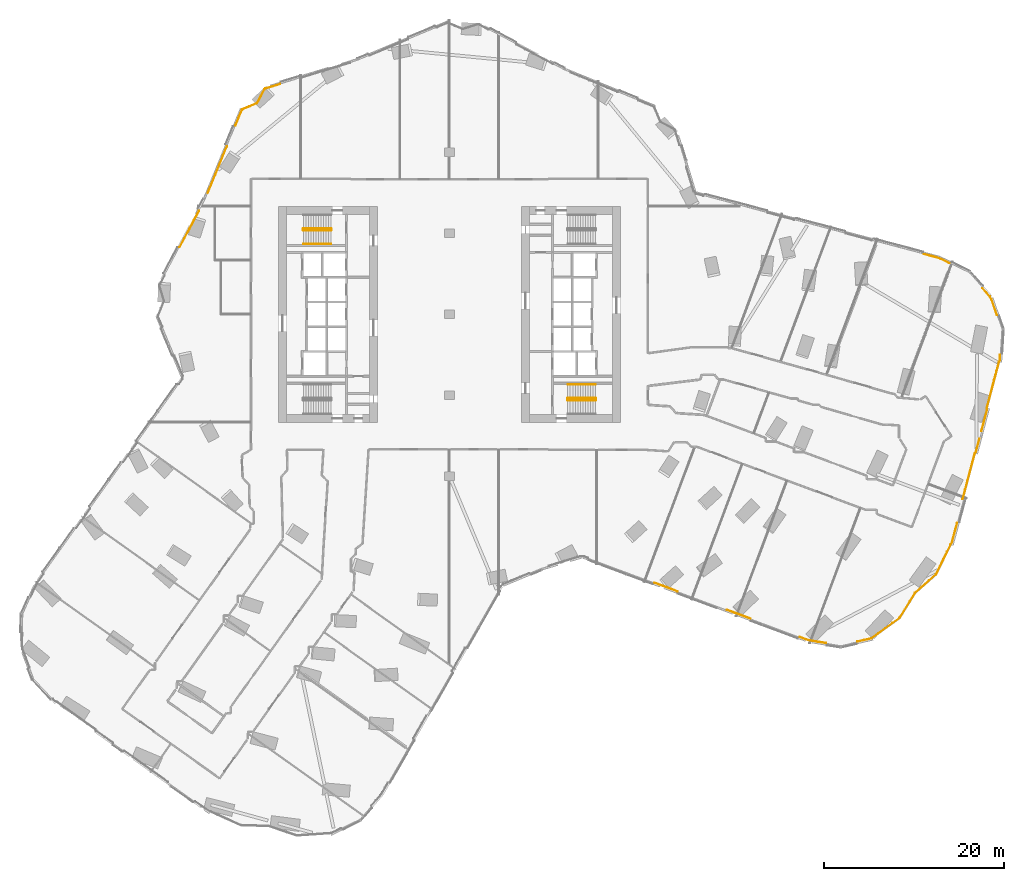
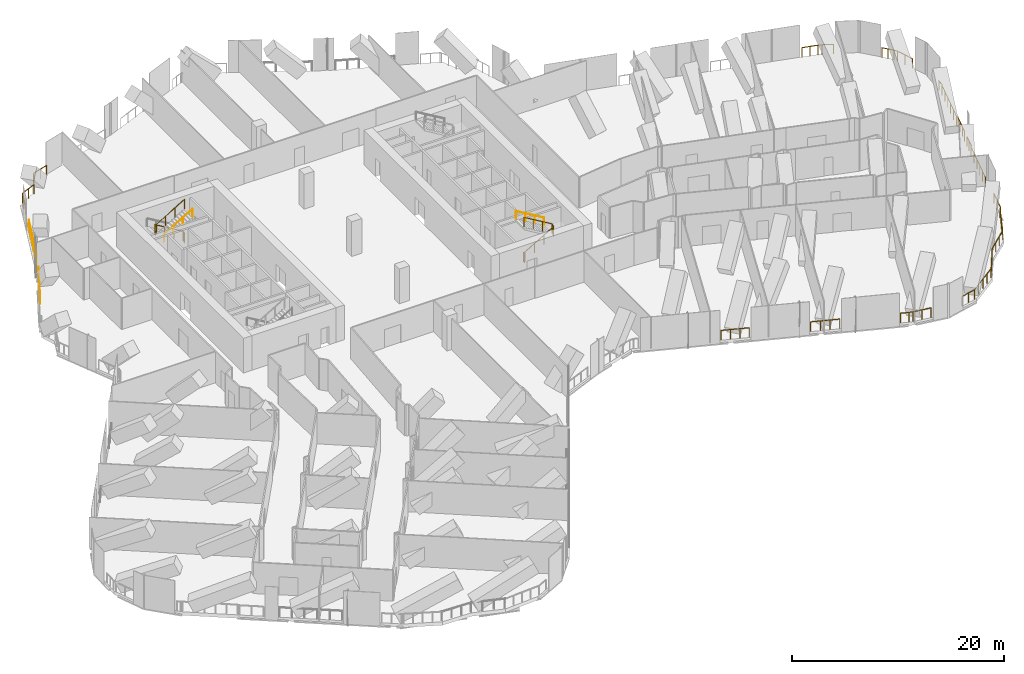
# One storey, part 33 of 34: 17 railings.
"""IFC4 building model written with IfcOpenShell, lengths in metres."""

from ifc_helpers import new_model, si_unit, direction, frame, origin, origin_2d, place, context, subcontext, project, spatial, circle, extrude, material, type_object, element, save


model = new_model("IFC4")

# Units and contexts
model_context = context("Model", 3, precision=1e-05, world=origin(), true_north=direction((0.0, 1.0)))
body_context = subcontext(model_context, "Body", "Model", "MODEL_VIEW")
ifc_project = project(units=[si_unit("LENGTHUNIT", "METRE"), si_unit("AREAUNIT", "SQUARE_METRE"), si_unit("VOLUMEUNIT", "CUBIC_METRE"), si_unit("PLANEANGLEUNIT", "RADIAN"), si_unit("MASSUNIT", "GRAM", prefix="KILO")], contexts=[model_context])

# Site, building, storey
site_placement = place(None, origin())
site = spatial("IfcSite", under=ifc_project, at=site_placement, CompositionType="ELEMENT")
building_placement = place(site_placement, origin())
building = spatial("IfcBuilding", under=site, at=building_placement, Name="Orlundy Tower", CompositionType="ELEMENT")
storey_placement = place(building_placement, frame((0.0, 0.0, 98.199951171875)))
storey = spatial("IfcBuildingStorey", under=building, at=storey_placement, Name="L24", CompositionType="ELEMENT", Elevation=98.199951171875)

# Railings
ifc_material_1 = material(Name="Steel balustrade", Category="steel")
railing_type_1 = type_object("IfcRailingType", Name="Stair Guard 1100", PredefinedType="GUARDRAIL", material=ifc_material_1)
railing_1_placement = place(storey_placement, frame((-13.090087890625, 9.5, 0.0)))
element("IfcRailing", 1, at=railing_1_placement, inside=storey, type_object=railing_type_1, Name="L24 ST-W1 stair guard 1", PredefinedType="GUARDRAIL", context=body_context, shape_type="SweptSolid", body=[
    extrude(circle(Radius=0.02392578125, at=origin_2d()), frame((0.0, 0.0, 1.076171875), z_axis=(0.0, -1.0, 0.0), x_axis=(1.0, 0.0, 0.0)), (0.0, 0.0, 1.0), 0.14990234375),
    extrude(circle(Radius=0.02392578125, at=origin_2d()), frame((0.0, -0.14990234375, 1.076171875), z_axis=(-0.1878875253, 0.754313153044, 0.629054802844), x_axis=(-0.970351222016, -0.241699205484, 0.0)), (0.0, 0.0, 1.0), 0.26513671875),
    extrude(circle(Radius=0.02392578125, at=origin_2d()), frame((-0.0498046875, 0.050048828125, 1.24267578125), z_axis=(-0.859308565015, 0.0, 0.511457515432), x_axis=(0.0, -1.0, 0.0)), (0.0, 0.0, 1.0), 3.58447265625),
    extrude(circle(Radius=0.02392578125, at=origin_2d()), frame((-3.1298828125, 0.050048828125, 3.076171875), z_axis=(-0.707106781187, -0.707106781187, 0.0), x_axis=(0.707106781187, -0.707106781187, 0.0)), (0.0, 0.0, 1.0), 0.07080078125),
    extrude(circle(Radius=0.02392578125, at=origin_2d()), frame((-3.179931640625, 0.0, 3.076171875), z_axis=(0.0, -1.0, 0.0), x_axis=(1.0, 0.0, 0.0)), (0.0, 0.0, 1.0), 0.14990234375),
    extrude(circle(Radius=0.02392578125, at=origin_2d()), frame((-3.179931640625, -0.14990234375, 3.076171875), z_axis=(0.27628659633, -0.27628659633, 0.920506074601), x_axis=(0.707106781187, 0.707106781187, 0.0)), (0.0, 0.0, 1.0), 0.18115234375),
    extrude(circle(Radius=0.02392578125, at=origin_2d()), frame((-3.1298828125, -0.199951171875, 3.24267578125), z_axis=(0.859308565015, 0.0, 0.511457515432), x_axis=(0.0, 1.0, 0.0)), (0.0, 0.0, 1.0), 3.58447265625),
    extrude(circle(Radius=0.02099609375, at=origin_2d()), origin(), (0.0, 0.0, 1.0), 1.052001953125),
    extrude(circle(Radius=0.02099609375, at=origin_2d()), frame((0.0, -0.14990234375, 0.0)), (0.0, 0.0, 1.0), 1.052001953125),
    extrude(circle(Radius=0.02099609375, at=origin_2d()), frame((-0.0498046875, 0.050048828125, 0.166748046875)), (0.0, 0.0, 1.0), 1.052001953125),
    extrude(circle(Radius=0.02099609375, at=origin_2d()), frame((-1.076416015625, 0.050048828125, 0.77783203125)), (0.0, 0.0, 1.0), 1.052001953125),
    extrude(circle(Radius=0.02099609375, at=origin_2d()), frame((-2.103271484375, 0.050048828125, 1.388916015625)), (0.0, 0.0, 1.0), 1.052001953125),
    extrude(circle(Radius=0.02099609375, at=origin_2d()), frame((-3.1298828125, 0.050048828125, 2.0)), (0.0, 0.0, 1.0), 1.052001953125),
    extrude(circle(Radius=0.02099609375, at=origin_2d()), frame((-3.179931640625, 0.0, 2.0)), (0.0, 0.0, 1.0), 1.052001953125),
    extrude(circle(Radius=0.02099609375, at=origin_2d()), frame((-3.179931640625, -0.14990234375, 2.0)), (0.0, 0.0, 1.0), 1.052001953125),
    extrude(circle(Radius=0.02099609375, at=origin_2d()), frame((-3.1298828125, -0.199951171875, 2.166748046875)), (0.0, 0.0, 1.0), 1.052001953125),
    extrude(circle(Radius=0.02099609375, at=origin_2d()), frame((-2.103271484375, -0.199951171875, 2.77783203125)), (0.0, 0.0, 1.0), 1.052001953125),
    extrude(circle(Radius=0.02099609375, at=origin_2d()), frame((-1.076416015625, -0.199951171875, 3.388916015625)), (0.0, 0.0, 1.0), 1.052001953125),
    extrude(circle(Radius=0.02099609375, at=origin_2d()), frame((-0.0498046875, -0.199951171875, 4.0)), (0.0, 0.0, 1.0), 1.052001953125),
])
railing_2_placement = place(storey_placement, frame((13.090087890625, -9.5, 0.0)))
element("IfcRailing", 2, at=railing_2_placement, inside=storey, type_object=railing_type_1, Name="L24 ST-E1 stair guard 1", PredefinedType="GUARDRAIL", context=body_context, shape_type="SweptSolid", body=[
    extrude(circle(Radius=0.02392578125, at=origin_2d()), frame((0.0, 0.0, 1.076171875), z_axis=(0.0, 1.0, 0.0), x_axis=(-1.0, 0.0, 0.0)), (0.0, 0.0, 1.0), 0.14990234375),
    extrude(circle(Radius=0.02392578125, at=origin_2d()), frame((0.0, 0.14990234375, 1.076171875), z_axis=(0.1878875253, -0.754313153044, 0.629054802844), x_axis=(0.970351222016, 0.241699205484, 0.0)), (0.0, 0.0, 1.0), 0.26513671875),
    extrude(circle(Radius=0.02392578125, at=origin_2d()), frame((0.0498046875, -0.050048828125, 1.24267578125), z_axis=(0.859308565015, 0.0, 0.511457515432), x_axis=(0.0, 1.0, 0.0)), (0.0, 0.0, 1.0), 3.58447265625),
    extrude(circle(Radius=0.02392578125, at=origin_2d()), frame((3.1298828125, -0.050048828125, 3.076171875), z_axis=(0.707106781187, 0.707106781187, 0.0), x_axis=(-0.707106781187, 0.707106781187, 0.0)), (0.0, 0.0, 1.0), 0.07080078125),
    extrude(circle(Radius=0.02392578125, at=origin_2d()), frame((3.179931640625, 0.0, 3.076171875), z_axis=(0.0, 1.0, 0.0), x_axis=(-1.0, 0.0, 0.0)), (0.0, 0.0, 1.0), 0.14990234375),
    extrude(circle(Radius=0.02392578125, at=origin_2d()), frame((3.179931640625, 0.14990234375, 3.076171875), z_axis=(-0.27628659633, 0.27628659633, 0.920506074601), x_axis=(-0.707106781187, -0.707106781187, 0.0)), (0.0, 0.0, 1.0), 0.18115234375),
    extrude(circle(Radius=0.02392578125, at=origin_2d()), frame((3.1298828125, 0.199951171875, 3.24267578125), z_axis=(-0.859308565015, 0.0, 0.511457515432), x_axis=(0.0, -1.0, 0.0)), (0.0, 0.0, 1.0), 3.58447265625),
    extrude(circle(Radius=0.02099609375, at=origin_2d()), origin(), (0.0, 0.0, 1.0), 1.052001953125),
    extrude(circle(Radius=0.02099609375, at=origin_2d()), frame((0.0, 0.14990234375, 0.0)), (0.0, 0.0, 1.0), 1.052001953125),
    extrude(circle(Radius=0.02099609375, at=origin_2d()), frame((0.0498046875, -0.050048828125, 0.166748046875)), (0.0, 0.0, 1.0), 1.052001953125),
    extrude(circle(Radius=0.02099609375, at=origin_2d()), frame((1.076416015625, -0.050048828125, 0.77783203125)), (0.0, 0.0, 1.0), 1.052001953125),
    extrude(circle(Radius=0.02099609375, at=origin_2d()), frame((2.103271484375, -0.050048828125, 1.388916015625)), (0.0, 0.0, 1.0), 1.052001953125),
    extrude(circle(Radius=0.02099609375, at=origin_2d()), frame((3.1298828125, -0.050048828125, 2.0)), (0.0, 0.0, 1.0), 1.052001953125),
    extrude(circle(Radius=0.02099609375, at=origin_2d()), frame((3.179931640625, 0.0, 2.0)), (0.0, 0.0, 1.0), 1.052001953125),
    extrude(circle(Radius=0.02099609375, at=origin_2d()), frame((3.179931640625, 0.14990234375, 2.0)), (0.0, 0.0, 1.0), 1.052001953125),
    extrude(circle(Radius=0.02099609375, at=origin_2d()), frame((3.1298828125, 0.199951171875, 2.166748046875)), (0.0, 0.0, 1.0), 1.052001953125),
    extrude(circle(Radius=0.02099609375, at=origin_2d()), frame((2.103271484375, 0.199951171875, 2.77783203125)), (0.0, 0.0, 1.0), 1.052001953125),
    extrude(circle(Radius=0.02099609375, at=origin_2d()), frame((1.076416015625, 0.199951171875, 3.388916015625)), (0.0, 0.0, 1.0), 1.052001953125),
    extrude(circle(Radius=0.02099609375, at=origin_2d()), frame((0.0498046875, 0.199951171875, 4.0)), (0.0, 0.0, 1.0), 1.052001953125),
])
ifc_material_2 = material(Name="Steel handrail", Category="steel")
railing_type_2 = type_object("IfcRailingType", Name="Stair Handrail 900", PredefinedType="HANDRAIL", material=ifc_material_2)
railing_3_placement = place(storey_placement, frame((-16.219970703125, 7.800048828125, 2.166748046875)))
element("IfcRailing", 3, at=railing_3_placement, inside=storey, type_object=railing_type_2, Name="L24 ST-W1 stair handrail 2", PredefinedType="HANDRAIL", context=body_context, shape_type="SweptSolid", body=[
    extrude(circle(Radius=0.02392578125, at=origin_2d()), frame((0.0, 0.0, 0.8759765625), z_axis=(0.859308565015, 0.0, 0.511457515432), x_axis=(0.0, 1.0, 0.0)), (0.0, 0.0, 1.0), 3.58447265625),
    extrude(circle(Radius=0.02099609375, at=origin_2d()), origin(), (0.0, 0.0, 1.0), 0.851806640625),
    extrude(circle(Radius=0.02099609375, at=origin_2d()), frame((1.026611328125, 0.0, 0.611083984375)), (0.0, 0.0, 1.0), 0.851806640625),
    extrude(circle(Radius=0.02099609375, at=origin_2d()), frame((2.053466796875, 0.0, 1.22216796875)), (0.0, 0.0, 1.0), 0.851806640625),
    extrude(circle(Radius=0.02099609375, at=origin_2d()), frame((3.080078125, 0.0, 1.833251953125)), (0.0, 0.0, 1.0), 0.851806640625),
])
railing_4_placement = place(storey_placement, frame((16.219970703125, -7.800048828125, 2.166748046875)))
element("IfcRailing", 4, at=railing_4_placement, inside=storey, type_object=railing_type_2, Name="L24 ST-E1 stair handrail 2", PredefinedType="HANDRAIL", context=body_context, shape_type="SweptSolid", body=[
    extrude(circle(Radius=0.02392578125, at=origin_2d()), frame((0.0, 0.0, 0.8759765625), z_axis=(-0.859308565015, 0.0, 0.511457515432), x_axis=(0.0, -1.0, 0.0)), (0.0, 0.0, 1.0), 3.58447265625),
    extrude(circle(Radius=0.02099609375, at=origin_2d()), origin(), (0.0, 0.0, 1.0), 0.851806640625),
    extrude(circle(Radius=0.02099609375, at=origin_2d()), frame((-1.026611328125, 0.0, 0.611083984375)), (0.0, 0.0, 1.0), 0.851806640625),
    extrude(circle(Radius=0.02099609375, at=origin_2d()), frame((-2.053466796875, 0.0, 1.22216796875)), (0.0, 0.0, 1.0), 0.851806640625),
    extrude(circle(Radius=0.02099609375, at=origin_2d()), frame((-3.080078125, 0.0, 1.833251953125)), (0.0, 0.0, 1.0), 0.851806640625),
])
ifc_material_3 = material(Name="Stainless steel bronze finish", Category="steel")
railing_type_3 = type_object("IfcRailingType", Name="TG1 terrace guard", PredefinedType="GUARDRAIL", material=ifc_material_3)
railing_5_placement = place(storey_placement, frame((61.18505859375, -4.49169921875, 0.0)))
element("IfcRailing", 5, at=railing_5_placement, inside=storey, type_object=railing_type_3, Name="Guard TG-L24-E00", PredefinedType="GUARDRAIL", context=body_context, shape_type="SweptSolid", body=[
    extrude(circle(Radius=0.02490234375, at=origin_2d()), frame((0.0, 0.0, 1.09521484375), z_axis=(-0.062778538097, -0.998027482164, 0.0), x_axis=(0.998027482164, -0.062778538097, 0.0)), (0.0, 0.0, 1.0), 0.6455078125),
    extrude(circle(Radius=0.02490234375, at=origin_2d()), frame((-0.04052734375, -0.644287109375, 1.09521484375), z_axis=(-0.459319646656, -0.888271052211, 0.0), x_axis=(0.888271052211, -0.459319646656, 0.0)), (0.0, 0.0, 1.0), 0.19287109375),
    extrude(circle(Radius=0.02490234375, at=origin_2d()), frame((-0.129150390625, -0.815673828125, 1.09521484375), z_axis=(-0.255992253942, -0.966678832871, 0.0), x_axis=(0.966678832871, -0.255992253942, 0.0)), (0.0, 0.0, 1.0), 5.250244140625),
    extrude(circle(Radius=0.02490234375, at=origin_2d()), frame((-1.47314453125, -5.890869140625, 1.09521484375), z_axis=(0.121381524734, -0.992605926566, 0.0), x_axis=(0.992605926566, 0.121381524734, 0.0)), (0.0, 0.0, 1.0), 0.21533203125),
    extrude(circle(Radius=0.02490234375, at=origin_2d()), frame((-1.447021484375, -6.1044921875, 1.09521484375), z_axis=(-0.255989398609, -0.966679589006, 0.0), x_axis=(0.966679589006, -0.255989398609, 0.0)), (0.0, 0.0, 1.0), 2.42529296875),
    extrude(circle(Radius=0.02001953125, at=origin_2d()), origin(), (0.0, 0.0, 1.0), 1.070068359375),
    extrude(circle(Radius=0.02001953125, at=origin_2d()), frame((-0.04052734375, -0.644287109375, 0.0)), (0.0, 0.0, 1.0), 1.070068359375),
    extrude(circle(Radius=0.02001953125, at=origin_2d()), frame((-0.129150390625, -0.815673828125, 0.0)), (0.0, 0.0, 1.0), 1.070068359375),
    extrude(circle(Radius=0.02001953125, at=origin_2d()), frame((-0.39794921875, -1.830810546875, 0.0)), (0.0, 0.0, 1.0), 1.070068359375),
    extrude(circle(Radius=0.02001953125, at=origin_2d()), frame((-0.666748046875, -2.845703125, 0.0)), (0.0, 0.0, 1.0), 1.070068359375),
    extrude(circle(Radius=0.02001953125, at=origin_2d()), frame((-0.935546875, -3.86083984375, 0.0)), (0.0, 0.0, 1.0), 1.070068359375),
    extrude(circle(Radius=0.02001953125, at=origin_2d()), frame((-1.204345703125, -4.875732421875, 0.0)), (0.0, 0.0, 1.0), 1.070068359375),
    extrude(circle(Radius=0.02001953125, at=origin_2d()), frame((-1.47314453125, -5.890869140625, 0.0)), (0.0, 0.0, 1.0), 1.070068359375),
    extrude(circle(Radius=0.02001953125, at=origin_2d()), frame((-1.447021484375, -6.1044921875, 0.0)), (0.0, 0.0, 1.0), 1.070068359375),
    extrude(circle(Radius=0.02001953125, at=origin_2d()), frame((-1.654052734375, -6.885986328125, 0.0)), (0.0, 0.0, 1.0), 1.070068359375),
    extrude(circle(Radius=0.02001953125, at=origin_2d()), frame((-1.86083984375, -7.66748046875, 0.0)), (0.0, 0.0, 1.0), 1.070068359375),
    extrude(circle(Radius=0.02001953125, at=origin_2d()), frame((-2.06787109375, -8.448974609375, 0.0)), (0.0, 0.0, 1.0), 1.070068359375),
])
railing_6_placement = place(storey_placement, frame((-23.7734375, 20.97412109375, 0.0)))
element("IfcRailing", 6, at=railing_6_placement, inside=storey, type_object=railing_type_3, Name="Guard TG-L24-E03", PredefinedType="GUARDRAIL", context=body_context, shape_type="SweptSolid", body=[
    extrude(circle(Radius=0.02490234375, at=origin_2d()), frame((0.0, 0.0, 1.09521484375), z_axis=(0.380023186305, 0.924976960724, 0.0), x_axis=(-0.924976960724, 0.380023186305, 0.0)), (0.0, 0.0, 1.0), 1.859130859375),
    extrude(circle(Radius=0.02490234375, at=origin_2d()), frame((0.70654296875, 1.7197265625, 1.09521484375), z_axis=(0.690099420039, 0.723714578036, 0.0), x_axis=(-0.723714578036, 0.690099420039, 0.0)), (0.0, 0.0, 1.0), 0.12353515625),
    extrude(circle(Radius=0.02490234375, at=origin_2d()), frame((0.791748046875, 1.80908203125, 1.09521484375), z_axis=(0.922750326247, 0.385398281535, 0.0), x_axis=(-0.385398281535, 0.922750326247, 0.0)), (0.0, 0.0, 1.0), 1.70458984375),
    extrude(circle(Radius=0.02490234375, at=origin_2d()), frame((2.36474609375, 2.466064453125, 1.09521484375), z_axis=(0.738157932677, 0.674627946668, 0.0), x_axis=(-0.674627946668, 0.738157932677, 0.0)), (0.0, 0.0, 1.0), 0.080810546875),
    extrude(circle(Radius=0.02490234375, at=origin_2d()), frame((2.42431640625, 2.5205078125, 1.09521484375), z_axis=(0.469361166134, 0.883006282948, 0.0), x_axis=(-0.883006282948, 0.469361166134, 0.0)), (0.0, 0.0, 1.0), 1.70458984375),
    extrude(circle(Radius=0.02490234375, at=origin_2d()), frame((3.224365234375, 4.025634765625, 1.09521484375), z_axis=(0.786044130974, 0.618170384409, 0.0), x_axis=(-0.618170384409, 0.786044130974, 0.0)), (0.0, 0.0, 1.0), 0.12353515625),
    extrude(circle(Radius=0.02490234375, at=origin_2d()), frame((3.321533203125, 4.10205078125, 1.09521484375), z_axis=(0.956276777405, 0.292463202805, 0.0), x_axis=(-0.292463202805, 0.956276777405, 0.0)), (0.0, 0.0, 1.0), 1.723876953125),
    extrude(circle(Radius=0.02001953125, at=origin_2d()), origin(), (0.0, 0.0, 1.0), 1.070068359375),
    extrude(circle(Radius=0.02001953125, at=origin_2d()), frame((0.353271484375, 0.85986328125, 0.0)), (0.0, 0.0, 1.0), 1.070068359375),
    extrude(circle(Radius=0.02001953125, at=origin_2d()), frame((0.70654296875, 1.7197265625, 0.0)), (0.0, 0.0, 1.0), 1.070068359375),
    extrude(circle(Radius=0.02001953125, at=origin_2d()), frame((0.791748046875, 1.80908203125, 0.0)), (0.0, 0.0, 1.0), 1.070068359375),
    extrude(circle(Radius=0.02001953125, at=origin_2d()), frame((1.578125, 2.1376953125, 0.0)), (0.0, 0.0, 1.0), 1.070068359375),
    extrude(circle(Radius=0.02001953125, at=origin_2d()), frame((2.36474609375, 2.466064453125, 0.0)), (0.0, 0.0, 1.0), 1.070068359375),
    extrude(circle(Radius=0.02001953125, at=origin_2d()), frame((2.42431640625, 2.5205078125, 0.0)), (0.0, 0.0, 1.0), 1.070068359375),
    extrude(circle(Radius=0.02001953125, at=origin_2d()), frame((2.82421875, 3.27294921875, 0.0)), (0.0, 0.0, 1.0), 1.070068359375),
    extrude(circle(Radius=0.02001953125, at=origin_2d()), frame((3.224365234375, 4.025634765625, 0.0)), (0.0, 0.0, 1.0), 1.070068359375),
    extrude(circle(Radius=0.02001953125, at=origin_2d()), frame((3.321533203125, 4.10205078125, 0.0)), (0.0, 0.0, 1.0), 1.070068359375),
    extrude(circle(Radius=0.02001953125, at=origin_2d()), frame((4.145751953125, 4.35400390625, 0.0)), (0.0, 0.0, 1.0), 1.070068359375),
    extrude(circle(Radius=0.02001953125, at=origin_2d()), frame((4.969970703125, 4.606201171875, 0.0)), (0.0, 0.0, 1.0), 1.070068359375),
])
railing_7_placement = place(storey_placement, frame((58.884521484375, -13.8193359375, 0.0)))
element("IfcRailing", 7, at=railing_7_placement, inside=storey, type_object=railing_type_3, Name="Guard TG-L24-E04", PredefinedType="GUARDRAIL", context=body_context, shape_type="SweptSolid", body=[
    extrude(circle(Radius=0.02490234375, at=origin_2d()), frame((0.0, 0.0, 1.09521484375), z_axis=(-0.255888134068, -0.966706399505, 0.0), x_axis=(0.966706399505, -0.255888134068, 0.0)), (0.0, 0.0, 1.0), 1.51611328125),
    extrude(circle(Radius=0.02490234375, at=origin_2d()), frame((-0.387939453125, -1.465576171875, 1.09521484375), z_axis=(-0.597095554311, -0.802170118505, 0.0), x_axis=(0.802170118505, -0.597095554311, 0.0)), (0.0, 0.0, 1.0), 0.215576171875),
    extrude(circle(Radius=0.02490234375, at=origin_2d()), frame((-0.5166015625, -1.638427734375, 1.09521484375), z_axis=(-0.255992253942, -0.966678832871, 0.0), x_axis=(0.966678832871, -0.255992253942, 0.0)), (0.0, 0.0, 1.0), 5.250244140625),
    extrude(circle(Radius=0.02001953125, at=origin_2d()), origin(), (0.0, 0.0, 1.0), 1.070068359375),
    extrude(circle(Radius=0.02001953125, at=origin_2d()), frame((-0.19384765625, -0.73291015625, 0.0)), (0.0, 0.0, 1.0), 1.070068359375),
    extrude(circle(Radius=0.02001953125, at=origin_2d()), frame((-0.387939453125, -1.465576171875, 0.0)), (0.0, 0.0, 1.0), 1.070068359375),
    extrude(circle(Radius=0.02001953125, at=origin_2d()), frame((-0.5166015625, -1.638427734375, 0.0)), (0.0, 0.0, 1.0), 1.070068359375),
    extrude(circle(Radius=0.02001953125, at=origin_2d()), frame((-0.785400390625, -2.653564453125, 0.0)), (0.0, 0.0, 1.0), 1.070068359375),
    extrude(circle(Radius=0.02001953125, at=origin_2d()), frame((-1.05419921875, -3.66845703125, 0.0)), (0.0, 0.0, 1.0), 1.070068359375),
    extrude(circle(Radius=0.02001953125, at=origin_2d()), frame((-1.322998046875, -4.68359375, 0.0)), (0.0, 0.0, 1.0), 1.070068359375),
    extrude(circle(Radius=0.02001953125, at=origin_2d()), frame((-1.591796875, -5.698486328125, 0.0)), (0.0, 0.0, 1.0), 1.070068359375),
    extrude(circle(Radius=0.02001953125, at=origin_2d()), frame((-1.860595703125, -6.713623046875, 0.0)), (0.0, 0.0, 1.0), 1.070068359375),
])
railing_8_placement = place(storey_placement, frame((54.068603515625, -28.893798828125, 0.0)))
element("IfcRailing", 8, at=railing_8_placement, inside=storey, type_object=railing_type_3, Name="Guard TG-L24-E06", PredefinedType="GUARDRAIL", context=body_context, shape_type="SweptSolid", body=[
    extrude(circle(Radius=0.02490234375, at=origin_2d()), frame((0.0, 0.0, 1.09521484375), z_axis=(-0.748783923465, -0.662814179058, 0.0), x_axis=(0.662814179058, -0.748783923465, 0.0)), (0.0, 0.0, 1.0), 3.112548828125),
    extrude(circle(Radius=0.02490234375, at=origin_2d()), frame((-2.33056640625, -2.06298828125, 1.09521484375), z_axis=(-0.526441891718, -0.850211111809, 0.0), x_axis=(0.850211111809, -0.526441891718, 0.0)), (0.0, 0.0, 1.0), 3.274169921875),
    extrude(circle(Radius=0.02001953125, at=origin_2d()), origin(), (0.0, 0.0, 1.0), 1.070068359375),
    extrude(circle(Radius=0.02001953125, at=origin_2d()), frame((-0.77685546875, -0.687744140625, 0.0)), (0.0, 0.0, 1.0), 1.070068359375),
    extrude(circle(Radius=0.02001953125, at=origin_2d()), frame((-1.5537109375, -1.375244140625, 0.0)), (0.0, 0.0, 1.0), 1.070068359375),
    extrude(circle(Radius=0.02001953125, at=origin_2d()), frame((-2.33056640625, -2.06298828125, 0.0)), (0.0, 0.0, 1.0), 1.070068359375),
    extrude(circle(Radius=0.02001953125, at=origin_2d()), frame((-2.905029296875, -2.990966796875, 0.0)), (0.0, 0.0, 1.0), 1.070068359375),
    extrude(circle(Radius=0.02001953125, at=origin_2d()), frame((-3.479736328125, -3.918701171875, 0.0)), (0.0, 0.0, 1.0), 1.070068359375),
    extrude(circle(Radius=0.02001953125, at=origin_2d()), frame((-4.05419921875, -4.8466796875, 0.0)), (0.0, 0.0, 1.0), 1.070068359375),
])
railing_9_placement = place(storey_placement, frame((56.40234375, -23.193359375, 0.0)))
element("IfcRailing", 9, at=railing_9_placement, inside=storey, type_object=railing_type_3, Name="Guard TG-L24-E07", PredefinedType="GUARDRAIL", context=body_context, shape_type="SweptSolid", body=[
    extrude(circle(Radius=0.02490234375, at=origin_2d()), frame((0.0, 0.0, 1.09521484375), z_axis=(-0.256011186728, -0.966673818964, 0.0), x_axis=(0.966673818964, -0.256011186728, 0.0)), (0.0, 0.0, 1.0), 2.3193359375),
    extrude(circle(Radius=0.02490234375, at=origin_2d()), frame((-0.59375, -2.241943359375, 1.09521484375), z_axis=(-0.623614624807, -0.781731923186, 0.0), x_axis=(0.781731923186, -0.623614624807, 0.0)), (0.0, 0.0, 1.0), 0.193115234375),
    extrude(circle(Radius=0.02490234375, at=origin_2d()), frame((-0.714111328125, -2.392822265625, 1.09521484375), z_axis=(-0.439773610429, -0.898108663565, 0.0), x_axis=(0.898108663565, -0.439773610429, 0.0)), (0.0, 0.0, 1.0), 3.682861328125),
    extrude(circle(Radius=0.02001953125, at=origin_2d()), origin(), (0.0, 0.0, 1.0), 1.070068359375),
    extrude(circle(Radius=0.02001953125, at=origin_2d()), frame((-0.296875, -1.12109375, 0.0)), (0.0, 0.0, 1.0), 1.070068359375),
    extrude(circle(Radius=0.02001953125, at=origin_2d()), frame((-0.59375, -2.241943359375, 0.0)), (0.0, 0.0, 1.0), 1.070068359375),
    extrude(circle(Radius=0.02001953125, at=origin_2d()), frame((-0.714111328125, -2.392822265625, 0.0)), (0.0, 0.0, 1.0), 1.070068359375),
    extrude(circle(Radius=0.02001953125, at=origin_2d()), frame((-1.119140625, -3.2197265625, 0.0)), (0.0, 0.0, 1.0), 1.070068359375),
    extrude(circle(Radius=0.02001953125, at=origin_2d()), frame((-1.52392578125, -4.046630859375, 0.0)), (0.0, 0.0, 1.0), 1.070068359375),
    extrude(circle(Radius=0.02001953125, at=origin_2d()), frame((-1.9287109375, -4.87353515625, 0.0)), (0.0, 0.0, 1.0), 1.070068359375),
    extrude(circle(Radius=0.02001953125, at=origin_2d()), frame((-2.333740234375, -5.700439453125, 0.0)), (0.0, 0.0, 1.0), 1.070068359375),
])
railing_10_placement = place(storey_placement, frame((-26.8525390625, 13.47900390625, 0.0)))
element("IfcRailing", 10, at=railing_10_placement, inside=storey, type_object=railing_type_3, Name="Guard TG-L24-E012", PredefinedType="GUARDRAIL", context=body_context, shape_type="SweptSolid", body=[
    extrude(circle(Radius=0.02490234375, at=origin_2d()), frame((0.0, 0.0, 1.09521484375), z_axis=(0.37999404168, 0.924988934143, 0.0), x_axis=(-0.924988934143, 0.37999404168, 0.0)), (0.0, 0.0, 1.0), 5.6064453125),
    extrude(circle(Radius=0.02001953125, at=origin_2d()), origin(), (0.0, 0.0, 1.0), 1.070068359375),
    extrude(circle(Radius=0.02001953125, at=origin_2d()), frame((0.426025390625, 1.037109375, 0.0)), (0.0, 0.0, 1.0), 1.070068359375),
    extrude(circle(Radius=0.02001953125, at=origin_2d()), frame((0.85205078125, 2.07421875, 0.0)), (0.0, 0.0, 1.0), 1.070068359375),
    extrude(circle(Radius=0.02001953125, at=origin_2d()), frame((1.2783203125, 3.111572265625, 0.0)), (0.0, 0.0, 1.0), 1.070068359375),
    extrude(circle(Radius=0.02001953125, at=origin_2d()), frame((1.704345703125, 4.148681640625, 0.0)), (0.0, 0.0, 1.0), 1.070068359375),
    extrude(circle(Radius=0.02001953125, at=origin_2d()), frame((2.13037109375, 5.185791015625, 0.0)), (0.0, 0.0, 1.0), 1.070068359375),
])
railing_11_placement = place(storey_placement, frame((50.014404296875, -33.740478515625, 0.0)))
element("IfcRailing", 11, at=railing_11_placement, inside=storey, type_object=railing_type_3, Name="Guard TG-L24-E015", PredefinedType="GUARDRAIL", context=body_context, shape_type="SweptSolid", body=[
    extrude(circle(Radius=0.02490234375, at=origin_2d()), frame((0.0, 0.0, 1.09521484375), z_axis=(-0.810513750355, -0.5857196091, 0.0), x_axis=(0.5857196091, -0.810513750355, 0.0)), (0.0, 0.0, 1.0), 3.852294921875),
    extrude(circle(Radius=0.02490234375, at=origin_2d()), frame((-3.122314453125, -2.25634765625, 1.09521484375), z_axis=(-0.973339056147, -0.229371056975, 0.0), x_axis=(0.229371056975, -0.973339056147, 0.0)), (0.0, 0.0, 1.0), 1.599853515625),
    extrude(circle(Radius=0.02001953125, at=origin_2d()), origin(), (0.0, 0.0, 1.0), 1.070068359375),
    extrude(circle(Radius=0.02001953125, at=origin_2d()), frame((-0.780517578125, -0.56396484375, 0.0)), (0.0, 0.0, 1.0), 1.070068359375),
    extrude(circle(Radius=0.02001953125, at=origin_2d()), frame((-1.56103515625, -1.128173828125, 0.0)), (0.0, 0.0, 1.0), 1.070068359375),
    extrude(circle(Radius=0.02001953125, at=origin_2d()), frame((-2.341796875, -1.6923828125, 0.0)), (0.0, 0.0, 1.0), 1.070068359375),
    extrude(circle(Radius=0.02001953125, at=origin_2d()), frame((-3.122314453125, -2.25634765625, 0.0)), (0.0, 0.0, 1.0), 1.070068359375),
    extrude(circle(Radius=0.02001953125, at=origin_2d()), frame((-3.90087890625, -2.43994140625, 0.0)), (0.0, 0.0, 1.0), 1.070068359375),
    extrude(circle(Radius=0.02001953125, at=origin_2d()), frame((-4.679443359375, -2.623291015625, 0.0)), (0.0, 0.0, 1.0), 1.070068359375),
])
railing_12_placement = place(storey_placement, frame((-29.970458984375, 7.44970703125, 0.0)))
element("IfcRailing", 12, at=railing_12_placement, inside=storey, type_object=railing_type_3, Name="Guard TG-L24-E018", PredefinedType="GUARDRAIL", context=body_context, shape_type="SweptSolid", body=[
    extrude(circle(Radius=0.02490234375, at=origin_2d()), frame((0.0, 0.0, 1.09521484375), z_axis=(0.469483525163, 0.882941232246, 0.0), x_axis=(-0.882941232246, 0.469483525163, 0.0)), (0.0, 0.0, 1.0), 4.56689453125),
    extrude(circle(Radius=0.02001953125, at=origin_2d()), origin(), (0.0, 0.0, 1.0), 1.070068359375),
    extrude(circle(Radius=0.02001953125, at=origin_2d()), frame((0.5361328125, 1.008056640625, 0.0)), (0.0, 0.0, 1.0), 1.070068359375),
    extrude(circle(Radius=0.02001953125, at=origin_2d()), frame((1.072021484375, 2.01611328125, 0.0)), (0.0, 0.0, 1.0), 1.070068359375),
    extrude(circle(Radius=0.02001953125, at=origin_2d()), frame((1.60791015625, 3.024169921875, 0.0)), (0.0, 0.0, 1.0), 1.070068359375),
    extrude(circle(Radius=0.02001953125, at=origin_2d()), frame((2.14404296875, 4.0322265625, 0.0)), (0.0, 0.0, 1.0), 1.070068359375),
])
railing_13_placement = place(storey_placement, frame((59.234619140625, 2.904052734375, 0.0)))
element("IfcRailing", 13, at=railing_13_placement, inside=storey, type_object=railing_type_3, Name="Guard TG-L24-E024", PredefinedType="GUARDRAIL", context=body_context, shape_type="SweptSolid", body=[
    extrude(circle(Radius=0.02490234375, at=origin_2d()), frame((0.0, 0.0, 1.09521484375), z_axis=(0.661595097497, -0.749861271815, 0.0), x_axis=(0.749861271815, 0.661595097497, 0.0)), (0.0, 0.0, 1.0), 1.217041015625),
    extrude(circle(Radius=0.02490234375, at=origin_2d()), frame((0.80517578125, -0.91259765625, 1.09521484375), z_axis=(0.502338784578, -0.864670888551, 0.0), x_axis=(0.864670888551, 0.502338784578, 0.0)), (0.0, 0.0, 1.0), 0.376708984375),
    extrude(circle(Radius=0.02490234375, at=origin_2d()), frame((0.994384765625, -1.23828125, 1.09521484375), z_axis=(0.324190423063, -0.945991844359, 0.0), x_axis=(0.945991844359, 0.324190423063, 0.0)), (0.0, 0.0, 1.0), 1.864501953125),
    extrude(circle(Radius=0.02001953125, at=origin_2d()), origin(), (0.0, 0.0, 1.0), 1.070068359375),
    extrude(circle(Radius=0.02001953125, at=origin_2d()), frame((0.402587890625, -0.456298828125, 0.0)), (0.0, 0.0, 1.0), 1.070068359375),
    extrude(circle(Radius=0.02001953125, at=origin_2d()), frame((0.80517578125, -0.91259765625, 0.0)), (0.0, 0.0, 1.0), 1.070068359375),
    extrude(circle(Radius=0.02001953125, at=origin_2d()), frame((0.994384765625, -1.23828125, 0.0)), (0.0, 0.0, 1.0), 1.070068359375),
    extrude(circle(Radius=0.02001953125, at=origin_2d()), frame((1.296630859375, -2.1201171875, 0.0)), (0.0, 0.0, 1.0), 1.070068359375),
    extrude(circle(Radius=0.02001953125, at=origin_2d()), frame((1.598876953125, -3.002197265625, 0.0)), (0.0, 0.0, 1.0), 1.070068359375),
])
railing_14_placement = place(storey_placement, frame((52.73388671875, 6.6826171875, 0.0)))
element("IfcRailing", 14, at=railing_14_placement, inside=storey, type_object=railing_type_3, Name="Guard TG-L24-E027", PredefinedType="GUARDRAIL", context=body_context, shape_type="SweptSolid", body=[
    extrude(circle(Radius=0.02490234375, at=origin_2d()), frame((0.0, 0.0, 1.09521484375), z_axis=(0.966640377, -0.256137427085, 0.0), x_axis=(0.256137427085, 0.966640377, 0.0)), (0.0, 0.0, 1.0), 1.53466796875),
    extrude(circle(Radius=0.02490234375, at=origin_2d()), frame((1.4833984375, -0.39306640625, 1.09521484375), z_axis=(0.936893420229, -0.349615101407, 0.0), x_axis=(0.349615101407, 0.936893420229, 0.0)), (0.0, 0.0, 1.0), 0.390380859375),
    extrude(circle(Radius=0.02490234375, at=origin_2d()), frame((1.84912109375, -0.529541015625, 1.09521484375), z_axis=(0.898167674796, -0.439653076813, 0.0), x_axis=(0.439653076813, 0.898167674796, 0.0)), (0.0, 0.0, 1.0), 1.08740234375),
    extrude(circle(Radius=0.02001953125, at=origin_2d()), origin(), (0.0, 0.0, 1.0), 1.070068359375),
    extrude(circle(Radius=0.02001953125, at=origin_2d()), frame((0.74169921875, -0.196533203125, 0.0)), (0.0, 0.0, 1.0), 1.070068359375),
    extrude(circle(Radius=0.02001953125, at=origin_2d()), frame((1.4833984375, -0.39306640625, 0.0)), (0.0, 0.0, 1.0), 1.070068359375),
    extrude(circle(Radius=0.02001953125, at=origin_2d()), frame((1.84912109375, -0.529541015625, 0.0)), (0.0, 0.0, 1.0), 1.070068359375),
    extrude(circle(Radius=0.02001953125, at=origin_2d()), frame((2.82568359375, -1.007568359375, 0.0)), (0.0, 0.0, 1.0), 1.070068359375),
])
railing_15_placement = place(storey_placement, frame((41.830810546875, -36.529541015625, 0.0)))
element("IfcRailing", 15, at=railing_15_placement, inside=storey, type_object=railing_type_3, Name="Guard TG-L24-E028", PredefinedType="GUARDRAIL", context=body_context, shape_type="SweptSolid", body=[
    extrude(circle(Radius=0.02490234375, at=origin_2d()), frame((0.0, 0.0, 1.09521484375), z_axis=(-0.987006281407, 0.160681674325, 0.0), x_axis=(-0.160681674325, -0.987006281407, 0.0)), (0.0, 0.0, 1.0), 1.82177734375),
    extrude(circle(Radius=0.02490234375, at=origin_2d()), frame((-1.798095703125, 0.292724609375, 1.09521484375), z_axis=(-0.966349111997, 0.257234122429, 0.0), x_axis=(-0.257234122429, -0.966349111997, 0.0)), (0.0, 0.0, 1.0), 0.39013671875),
    extrude(circle(Radius=0.02490234375, at=origin_2d()), frame((-2.175048828125, 0.39306640625, 1.09521484375), z_axis=(-0.936732713366, 0.35004545949, 0.0), x_axis=(-0.35004545949, -0.936732713366, 0.0)), (0.0, 0.0, 1.0), 0.79443359375),
    extrude(circle(Radius=0.02001953125, at=origin_2d()), origin(), (0.0, 0.0, 1.0), 1.070068359375),
    extrude(circle(Radius=0.02001953125, at=origin_2d()), frame((-0.89892578125, 0.146484375, 0.0)), (0.0, 0.0, 1.0), 1.070068359375),
    extrude(circle(Radius=0.02001953125, at=origin_2d()), frame((-1.798095703125, 0.292724609375, 0.0)), (0.0, 0.0, 1.0), 1.070068359375),
    extrude(circle(Radius=0.02001953125, at=origin_2d()), frame((-2.175048828125, 0.39306640625, 0.0)), (0.0, 0.0, 1.0), 1.070068359375),
    extrude(circle(Radius=0.02001953125, at=origin_2d()), frame((-2.919189453125, 0.671142578125, 0.0)), (0.0, 0.0, 1.0), 1.070068359375),
])
railing_16_placement = place(storey_placement, frame((33.445068359375, -33.814453125, 0.0)))
element("IfcRailing", 16, at=railing_16_placement, inside=storey, type_object=railing_type_3, Name="Guard TG-L24-E034", PredefinedType="GUARDRAIL", context=body_context, shape_type="SweptSolid", body=[
    extrude(circle(Radius=0.02490234375, at=origin_2d()), frame((0.0, 0.0, 1.09521484375), z_axis=(-0.936660967519, 0.350237393671, 0.0), x_axis=(-0.350237393671, -0.936660967519, 0.0)), (0.0, 0.0, 1.0), 2.778564453125),
    extrude(circle(Radius=0.02001953125, at=origin_2d()), origin(), (0.0, 0.0, 1.0), 1.070068359375),
    extrude(circle(Radius=0.02001953125, at=origin_2d()), frame((-0.867431640625, 0.324462890625, 0.0)), (0.0, 0.0, 1.0), 1.070068359375),
    extrude(circle(Radius=0.02001953125, at=origin_2d()), frame((-1.735107421875, 0.648681640625, 0.0)), (0.0, 0.0, 1.0), 1.070068359375),
    extrude(circle(Radius=0.02001953125, at=origin_2d()), frame((-2.6025390625, 0.97314453125, 0.0)), (0.0, 0.0, 1.0), 1.070068359375),
])
railing_17_placement = place(storey_placement, frame((25.325927734375, -30.778564453125, 0.0)))
element("IfcRailing", 17, at=railing_17_placement, inside=storey, type_object=railing_type_3, Name="Guard TG-L24-E035", PredefinedType="GUARDRAIL", context=body_context, shape_type="SweptSolid", body=[
    extrude(circle(Radius=0.02490234375, at=origin_2d()), frame((0.0, 0.0, 1.09521484375), z_axis=(-0.936665529143, 0.350225194004, 0.0), x_axis=(-0.350225194004, -0.936665529143, 0.0)), (0.0, 0.0, 1.0), 2.7109375),
    extrude(circle(Radius=0.02001953125, at=origin_2d()), origin(), (0.0, 0.0, 1.0), 1.070068359375),
    extrude(circle(Radius=0.02001953125, at=origin_2d()), frame((-0.846435546875, 0.31640625, 0.0)), (0.0, 0.0, 1.0), 1.070068359375),
    extrude(circle(Radius=0.02001953125, at=origin_2d()), frame((-1.69287109375, 0.633056640625, 0.0)), (0.0, 0.0, 1.0), 1.070068359375),
    extrude(circle(Radius=0.02001953125, at=origin_2d()), frame((-2.539306640625, 0.949462890625, 0.0)), (0.0, 0.0, 1.0), 1.070068359375),
])

save(model, "model.ifc")
